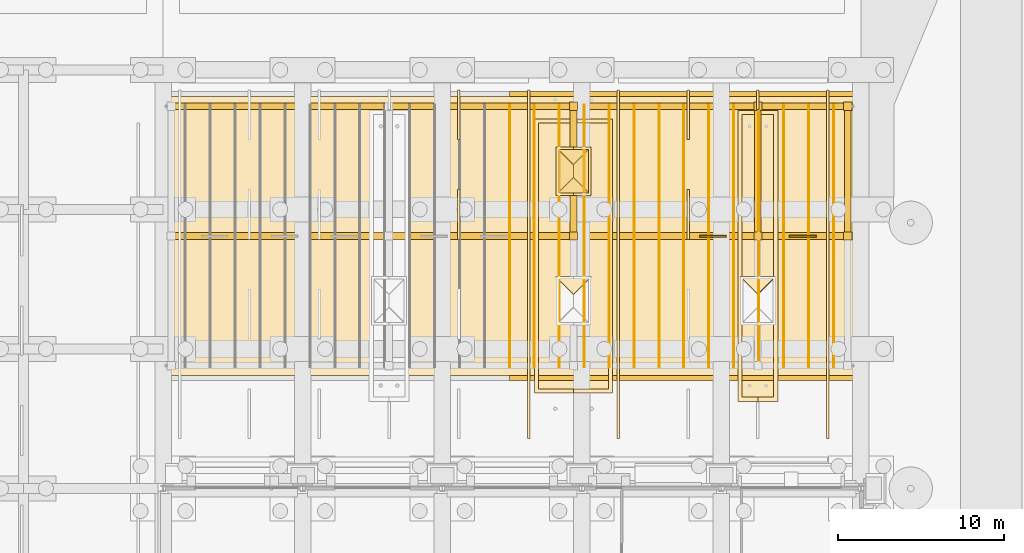
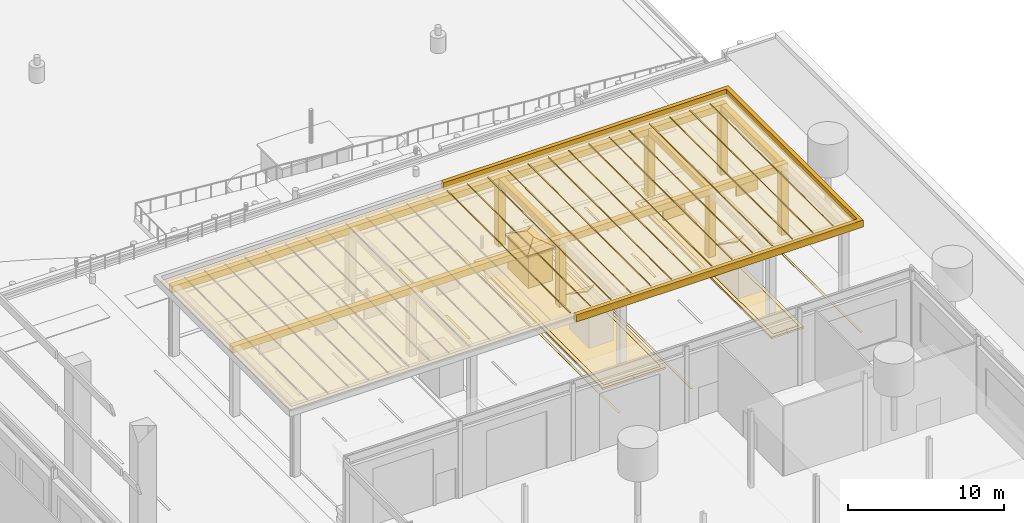
# One storey, part 171 of 222: 52 coverings.
"""IFC4 building model written with IfcOpenShell, lengths in metres."""

from ifc_helpers import new_model, si_unit, direction, frame, origin, origin_2d, place, context, subcontext, project, spatial, polyline, rectangle, outline, extrude, material, layer, layer_set, type_object, element, save


model = new_model("IFC4")

# Units and contexts
model_context = context("Model", 3, precision=1e-05, world=origin(), true_north=direction((0.0, 1.0)))
body_context = subcontext(model_context, "Body", "Model", "MODEL_VIEW")
ifc_project = project(units=[si_unit("LENGTHUNIT", "METRE"), si_unit("AREAUNIT", "SQUARE_METRE"), si_unit("VOLUMEUNIT", "CUBIC_METRE"), si_unit("PLANEANGLEUNIT", "RADIAN"), si_unit("MASSUNIT", "GRAM", prefix="KILO")], contexts=[model_context])

# Site, building, storey
site_placement = place(None, origin())
site = spatial("IfcSite", under=ifc_project, at=site_placement, CompositionType="ELEMENT")
building_placement = place(site_placement, origin())
building = spatial("IfcBuilding", under=site, at=building_placement, Name="Sava Quay Ferry Terminal", CompositionType="ELEMENT")
storey_placement = place(building_placement, origin())
storey = spatial("IfcBuildingStorey", under=building, at=storey_placement, Name="L00", CompositionType="ELEMENT", Elevation=0.0)

# Coverings
ifc_material_1 = material(Name="Steel S355", Category="steel")
ifc_layer_1 = layer(ifc_material_1, 0.39990234375)
ifc_layer_set_1 = layer_set([ifc_layer_1], Name="Steel S355")
covering_type_1 = type_object("IfcCoveringType", Name="Apron canopy beam 400x500", PredefinedType="CLADDING", material=ifc_layer_set_1)
covering_1_placement = place(storey_placement, frame((0.0, 0.0, 5.0)))
element("IfcCovering", 1, at=covering_1_placement, inside=storey, type_object=covering_type_1, Name="Apron canopy main beam", PredefinedType="CLADDING", context=body_context, shape_type="SweptSolid", body=[
    extrude(outline(polyline([(167.449951171875, 99.0), (167.449951171875, 99.39990234375), (126.25, 99.39990234375), (126.25, 99.0), (167.449951171875, 99.0)])), origin(), (0.0, 0.0, 1.0), 0.5),
])
covering_2_placement = place(storey_placement, frame((0.0, 0.0, 5.0)))
element("IfcCovering", 2, at=covering_2_placement, inside=storey, type_object=covering_type_1, Name="Apron canopy main beam", PredefinedType="CLADDING", context=body_context, shape_type="SweptSolid", body=[
    extrude(outline(polyline([(167.449951171875, 106.800048828125), (167.449951171875, 107.199951171875), (126.25, 107.199951171875), (126.25, 106.800048828125), (167.449951171875, 106.800048828125)])), origin(), (0.0, 0.0, 1.0), 0.5),
])
covering_3_placement = place(storey_placement, frame((0.0, 0.0, 5.0)))
element("IfcCovering", 3, at=covering_3_placement, inside=storey, type_object=covering_type_1, Name="Apron canopy cross beam", PredefinedType="CLADDING", context=body_context, shape_type="SweptSolid", body=[
    extrude(outline(polyline([(150.89990234375, 99.39990234375), (150.89990234375, 106.800048828125), (150.5, 106.800048828125), (150.5, 99.39990234375), (150.89990234375, 99.39990234375)])), origin(), (0.0, 0.0, 1.0), 0.5),
])
covering_4_placement = place(storey_placement, frame((0.0, 0.0, 5.0)))
element("IfcCovering", 4, at=covering_4_placement, inside=storey, type_object=covering_type_1, Name="Apron canopy cross beam", PredefinedType="CLADDING", context=body_context, shape_type="SweptSolid", body=[
    extrude(outline(polyline([(162.0, 99.39990234375), (162.0, 106.800048828125), (161.60009765625, 106.800048828125), (161.60009765625, 99.39990234375), (162.0, 99.39990234375)])), origin(), (0.0, 0.0, 1.0), 0.5),
])
covering_5_placement = place(storey_placement, frame((0.0, 0.0, 5.0)))
element("IfcCovering", 5, at=covering_5_placement, inside=storey, type_object=covering_type_1, Name="Apron canopy cross beam", PredefinedType="CLADDING", context=body_context, shape_type="SweptSolid", body=[
    extrude(outline(polyline([(167.39990234375, 99.39990234375), (167.39990234375, 106.800048828125), (167.0, 106.800048828125), (167.0, 99.39990234375), (167.39990234375, 99.39990234375)])), origin(), (0.0, 0.0, 1.0), 0.5),
])
ifc_material_2 = material(Name="Limestone Mutalj", Category="masonry")
ifc_layer_2 = layer(ifc_material_2, 0.300048828125)
ifc_layer_set_2 = layer_set([ifc_layer_2], Name="Limestone Mutalj")
covering_type_2 = type_object("IfcCoveringType", Name="Apron canopy fascia 300", PredefinedType="MOLDING", material=ifc_layer_set_2)
covering_6_placement = place(storey_placement, frame((0.0, 0.0, 5.39990234375)))
element("IfcCovering", 6, at=covering_6_placement, inside=storey, type_object=covering_type_2, Name="Apron canopy fascia", PredefinedType="MOLDING", context=body_context, shape_type="SweptSolid", body=[
    extrude(outline(polyline([(168.14990234375, 107.89990234375), (146.85009765625, 107.89990234375), (146.85009765625, 107.60009765625), (167.85009765625, 107.60009765625), (167.85009765625, 90.800048828125), (146.85009765625, 90.800048828125), (146.85009765625, 90.5), (168.14990234375, 90.5), (168.14990234375, 107.89990234375)])), origin(), (0.0, 0.0, 1.0), 0.550048828125),
])
ifc_material_3 = material(Name="Steel S355", Category="steel")
ifc_layer_3 = layer(ifc_material_3, 0.5)
ifc_layer_set_3 = layer_set([ifc_layer_3], Name="Steel S355")
covering_type_3 = type_object("IfcCoveringType", Name="Apron canopy post 500", PredefinedType="CLADDING", material=ifc_layer_set_3)
covering_7_placement = place(storey_placement, frame((0.0, 0.0, 0.14990234375)))
element("IfcCovering", 7, at=covering_7_placement, inside=storey, type_object=covering_type_3, Name="Apron canopy post", PredefinedType="CLADDING", context=body_context, shape_type="SweptSolid", body=[
    extrude(outline(polyline([(150.949951171875, 98.949951171875), (150.949951171875, 99.449951171875), (150.449951171875, 99.449951171875), (150.449951171875, 98.949951171875), (150.949951171875, 98.949951171875)])), origin(), (0.0, 0.0, 1.0), 4.85009765625),
])
covering_8_placement = place(storey_placement, frame((0.0, 0.0, 0.14990234375)))
element("IfcCovering", 8, at=covering_8_placement, inside=storey, type_object=covering_type_3, Name="Apron canopy post", PredefinedType="CLADDING", context=body_context, shape_type="SweptSolid", body=[
    extrude(outline(polyline([(150.949951171875, 106.75), (150.949951171875, 107.25), (150.449951171875, 107.25), (150.449951171875, 106.75), (150.949951171875, 106.75)])), origin(), (0.0, 0.0, 1.0), 4.85009765625),
])
covering_9_placement = place(storey_placement, frame((0.0, 0.0, 0.14990234375)))
element("IfcCovering", 9, at=covering_9_placement, inside=storey, type_object=covering_type_3, Name="Apron canopy post", PredefinedType="CLADDING", context=body_context, shape_type="SweptSolid", body=[
    extrude(outline(polyline([(162.050048828125, 98.949951171875), (162.050048828125, 99.449951171875), (161.550048828125, 99.449951171875), (161.550048828125, 98.949951171875), (162.050048828125, 98.949951171875)])), origin(), (0.0, 0.0, 1.0), 4.85009765625),
])
covering_10_placement = place(storey_placement, frame((0.0, 0.0, 0.14990234375)))
element("IfcCovering", 10, at=covering_10_placement, inside=storey, type_object=covering_type_3, Name="Apron canopy post", PredefinedType="CLADDING", context=body_context, shape_type="SweptSolid", body=[
    extrude(outline(polyline([(162.050048828125, 106.75), (162.050048828125, 107.25), (161.550048828125, 107.25), (161.550048828125, 106.75), (162.050048828125, 106.75)])), origin(), (0.0, 0.0, 1.0), 4.85009765625),
])
covering_11_placement = place(storey_placement, origin())
element("IfcCovering", 11, at=covering_11_placement, inside=storey, type_object=covering_type_3, Name="Apron canopy post", PredefinedType="CLADDING", context=body_context, shape_type="SweptSolid", body=[
    extrude(outline(polyline([(167.449951171875, 98.949951171875), (167.449951171875, 99.449951171875), (166.949951171875, 99.449951171875), (166.949951171875, 98.949951171875), (167.449951171875, 98.949951171875)])), origin(), (0.0, 0.0, 1.0), 5.0),
])
covering_12_placement = place(storey_placement, origin())
element("IfcCovering", 12, at=covering_12_placement, inside=storey, type_object=covering_type_3, Name="Apron canopy post", PredefinedType="CLADDING", context=body_context, shape_type="SweptSolid", body=[
    extrude(outline(polyline([(167.449951171875, 106.75), (167.449951171875, 107.25), (166.949951171875, 107.25), (166.949951171875, 106.75), (167.449951171875, 106.75)])), origin(), (0.0, 0.0, 1.0), 5.0),
])
ifc_material_4 = material(Name="Zinc standing seam")
ifc_layer_4 = layer(ifc_material_4, 0.1201171875)
ifc_layer_set_4 = layer_set([ifc_layer_4], Name="Zinc standing seam")
covering_type_4 = type_object("IfcCoveringType", Name="Apron canopy roof plate 120", PredefinedType="ROOFING", material=ifc_layer_set_4)
covering_13_placement = place(storey_placement, frame((0.0, 0.0, 5.5)))
element("IfcCovering", 13, at=covering_13_placement, inside=storey, type_object=covering_type_4, Name="Apron canopy roof plate", PredefinedType="ROOFING", context=body_context, shape_type="SweptSolid", body=[
    extrude(outline(polyline([(167.85009765625, 90.800048828125), (167.85009765625, 107.60009765625), (125.85009765625, 107.60009765625), (125.85009765625, 90.800048828125), (167.85009765625, 90.800048828125)])), origin(), (0.0, 0.0, 1.0), 0.1201171875),
])
ifc_material_5 = material(Name="Turf and topsoil")
ifc_layer_5 = layer(ifc_material_5, 0.14990234375)
ifc_layer_set_5 = layer_set([ifc_layer_5], Name="Turf and topsoil")
covering_type_5 = type_object("IfcCoveringType", Name="Apron island bed 150", PredefinedType="CLADDING", material=ifc_layer_set_5)
covering_14_placement = place(storey_placement, origin())
element("IfcCovering", 14, at=covering_14_placement, inside=storey, type_object=covering_type_5, Name="Apron island bed", PredefinedType="CLADDING", context=body_context, shape_type="SweptSolid", body=[
    extrude(outline(polyline([(162.75, 89.5), (162.75, 106.5), (160.85009765625, 106.5), (160.85009765625, 89.5), (162.75, 89.5)])), origin(), (0.0, 0.0, 1.0), 0.14990234375),
])
ifc_material_6 = material(Name="Limestone Mutalj", Category="masonry")
ifc_layer_6 = layer(ifc_material_6, 0.25)
ifc_layer_set_6 = layer_set([ifc_layer_6], Name="Limestone Mutalj")
covering_type_6 = type_object("IfcCoveringType", Name="Apron island kerb 250", PredefinedType="CLADDING", material=ifc_layer_set_6)
covering_15_placement = place(storey_placement, origin())
element("IfcCovering", 15, at=covering_15_placement, inside=storey, type_object=covering_type_6, Name="Apron island kerb", PredefinedType="CLADDING", context=body_context, shape_type="SweptSolid", body=[
    extrude(outline(polyline([(160.60009765625, 106.75), (160.60009765625, 89.25), (161.800048828125, 89.25), (161.800048828125, 89.5), (160.85009765625, 89.5), (160.85009765625, 106.5), (161.800048828125, 106.5), (161.800048828125, 106.75), (160.60009765625, 106.75)])), origin(), (0.0, 0.0, 1.0), 0.14990234375),
])
covering_16_placement = place(storey_placement, origin())
element("IfcCovering", 16, at=covering_16_placement, inside=storey, type_object=covering_type_6, Name="Apron island kerb", PredefinedType="CLADDING", context=body_context, shape_type="SweptSolid", body=[
    extrude(outline(polyline([(163.0, 106.75), (161.800048828125, 106.75), (161.800048828125, 106.5), (162.75, 106.5), (162.75, 89.5), (161.800048828125, 89.5), (161.800048828125, 89.25), (163.0, 89.25), (163.0, 106.75)])), origin(), (0.0, 0.0, 1.0), 0.14990234375),
])
ifc_material_7 = material(Name="Limestone Mutalj", Category="masonry")
ifc_layer_7 = layer(ifc_material_7, 0.25)
ifc_layer_set_7 = layer_set([ifc_layer_7], Name="Limestone Mutalj")
covering_type_7 = type_object("IfcCoveringType", Name="Island kerb 250", PredefinedType="CLADDING", material=ifc_layer_set_7)
covering_17_placement = place(storey_placement, origin())
element("IfcCovering", 17, at=covering_17_placement, inside=storey, type_object=covering_type_7, Name="Island kerb", PredefinedType="CLADDING", context=body_context, shape_type="SweptSolid", body=[
    extrude(outline(polyline([(148.35009765625, 89.75), (150.699951171875, 89.75), (150.699951171875, 90.0), (148.60009765625, 90.0), (148.60009765625, 106.0), (150.699951171875, 106.0), (150.699951171875, 106.25), (148.35009765625, 106.25), (148.35009765625, 89.75)])), origin(), (0.0, 0.0, 1.0), 0.14990234375),
])
covering_18_placement = place(storey_placement, origin())
element("IfcCovering", 18, at=covering_18_placement, inside=storey, type_object=covering_type_7, Name="Island kerb", PredefinedType="CLADDING", context=body_context, shape_type="SweptSolid", body=[
    extrude(outline(polyline([(153.050048828125, 89.75), (153.050048828125, 106.25), (150.699951171875, 106.25), (150.699951171875, 106.0), (152.800048828125, 106.0), (152.800048828125, 90.0), (150.699951171875, 90.0), (150.699951171875, 89.75), (153.050048828125, 89.75)])), origin(), (0.0, 0.0, 1.0), 0.14990234375),
])
ifc_material_8 = material(Name="Turf and topsoil")
ifc_layer_8 = layer(ifc_material_8, 0.14990234375)
ifc_layer_set_8 = layer_set([ifc_layer_8], Name="Turf and topsoil")
covering_type_8 = type_object("IfcCoveringType", Name="Island planting bed 150", PredefinedType="CLADDING", material=ifc_layer_set_8)
covering_19_placement = place(storey_placement, origin())
element("IfcCovering", 19, at=covering_19_placement, inside=storey, type_object=covering_type_8, Name="Island planting bed", PredefinedType="CLADDING", context=body_context, shape_type="SweptSolid", body=[
    extrude(outline(polyline([(148.60009765625, 106.0), (148.60009765625, 90.0), (152.800048828125, 90.0), (152.800048828125, 106.0), (148.60009765625, 106.0)])), origin(), (0.0, 0.0, 1.0), 0.14990234375),
])
ifc_material_9 = material(Name="Steel S355", Category="steel")
ifc_layer_9 = layer(ifc_material_9, 0.1201171875)
ifc_layer_set_9 = layer_set([ifc_layer_9], Name="Steel S355")
covering_type_9 = type_object("IfcCoveringType", Name="Lane signal board 1600x900", PredefinedType="CLADDING", material=ifc_layer_set_9)
for number, where, z_axis, x_axis, name in (
    (20, (159.10009765625, 99.199951171875, 4.10009765625), (0.0, 0.0, 1.0), (1.0, 0.0, 0.0), "Lane signal board"),
    (21, (164.5, 99.199951171875, 4.10009765625), (0.0, 0.0, 1.0), (1.0, 0.0, 0.0), "Lane signal board"),
):
    element("IfcCovering", number, at=place(storey_placement, frame(where, z_axis=z_axis, x_axis=x_axis)), inside=storey, type_object=covering_type_9, Name=name, PredefinedType="CLADDING", context=body_context, shape_type="SweptSolid", body=[
        extrude(rectangle(XDim=1.60009765625, YDim=0.1201171875, at=origin_2d()), origin(), (0.0, 0.0, 1.0), 0.89990234375),
    ])
ifc_material_10 = material(Name="Road marking paint")
ifc_layer_10 = layer(ifc_material_10, 0.02001953125)
ifc_layer_set_10 = layer_set([ifc_layer_10], Name="Road marking paint")
covering_type_10 = type_object("IfcCoveringType", Name="Road marking line 150", PredefinedType="FLOORING", material=ifc_layer_set_10)
covering_20_placement = place(storey_placement, origin())
element("IfcCovering", 22, at=covering_20_placement, inside=storey, type_object=covering_type_10, Name="Road marking line", PredefinedType="FLOORING", context=body_context, shape_type="SweptSolid", body=[
    extrude(outline(polyline([(143.72509765625, 99.0), (143.875, 99.0), (143.875, 102.0), (143.72509765625, 102.0), (143.72509765625, 99.0)])), origin(), (0.0, 0.0, 1.0), 0.02001953125),
])
covering_21_placement = place(storey_placement, origin())
element("IfcCovering", 23, at=covering_21_placement, inside=storey, type_object=covering_type_10, Name="Road marking line", PredefinedType="FLOORING", context=body_context, shape_type="SweptSolid", body=[
    extrude(outline(polyline([(148.074951171875, 108.0), (147.925048828125, 108.0), (147.925048828125, 87.0), (148.074951171875, 87.0), (148.074951171875, 108.0)])), origin(), (0.0, 0.0, 1.0), 0.02001953125),
])
covering_22_placement = place(storey_placement, origin())
element("IfcCovering", 24, at=covering_22_placement, inside=storey, type_object=covering_type_10, Name="Road marking line", PredefinedType="FLOORING", context=body_context, shape_type="SweptSolid", body=[
    extrude(outline(polyline([(153.324951171875, 108.0), (153.324951171875, 87.0), (153.47509765625, 87.0), (153.47509765625, 108.0), (153.324951171875, 108.0)])), origin(), (0.0, 0.0, 1.0), 0.02001953125),
])
covering_23_placement = place(storey_placement, origin())
element("IfcCovering", 25, at=covering_23_placement, inside=storey, type_object=covering_type_10, Name="Road marking line", PredefinedType="FLOORING", context=body_context, shape_type="SweptSolid", body=[
    extrude(outline(polyline([(166.074951171875, 108.0), (165.925048828125, 108.0), (165.925048828125, 87.0), (166.074951171875, 87.0), (166.074951171875, 108.0)])), origin(), (0.0, 0.0, 1.0), 0.02001953125),
])
covering_24_placement = place(storey_placement, origin())
element("IfcCovering", 26, at=covering_24_placement, inside=storey, type_object=covering_type_10, Name="Road marking line", PredefinedType="FLOORING", context=body_context, shape_type="SweptSolid", body=[
    extrude(outline(polyline([(157.52490234375, 99.0), (157.675048828125, 99.0), (157.675048828125, 102.0), (157.52490234375, 102.0), (157.52490234375, 99.0)])), origin(), (0.0, 0.0, 1.0), 0.02001953125),
])
covering_25_placement = place(storey_placement, origin())
element("IfcCovering", 27, at=covering_25_placement, inside=storey, type_object=covering_type_10, Name="Road marking line", PredefinedType="FLOORING", context=body_context, shape_type="SweptSolid", body=[
    extrude(outline(polyline([(143.72509765625, 105.0), (143.875, 105.0), (143.875, 108.0), (143.72509765625, 108.0), (143.72509765625, 105.0)])), origin(), (0.0, 0.0, 1.0), 0.02001953125),
])
covering_26_placement = place(storey_placement, origin())
element("IfcCovering", 28, at=covering_26_placement, inside=storey, type_object=covering_type_10, Name="Road marking line", PredefinedType="FLOORING", context=body_context, shape_type="SweptSolid", body=[
    extrude(outline(polyline([(157.52490234375, 105.0), (157.675048828125, 105.0), (157.675048828125, 108.0), (157.52490234375, 108.0), (157.52490234375, 105.0)])), origin(), (0.0, 0.0, 1.0), 0.02001953125),
])
covering_27_placement = place(storey_placement, origin())
element("IfcCovering", 29, at=covering_27_placement, inside=storey, type_object=covering_type_10, Name="Road marking line", PredefinedType="FLOORING", context=body_context, shape_type="SweptSolid", body=[
    extrude(outline(polyline([(161.72509765625, 108.0), (161.72509765625, 106.800048828125), (161.875, 106.800048828125), (161.875, 108.0), (161.72509765625, 108.0)])), origin(), (0.0, 0.0, 1.0), 0.02001953125),
])
ifc_material_11 = material(Name="Zinc standing seam")
ifc_layer_11 = layer(ifc_material_11, 0.0400390625)
ifc_layer_set_11 = layer_set([ifc_layer_11], Name="Zinc standing seam")
covering_type_11 = type_object("IfcCoveringType", Name="Roof seam rib 60", PredefinedType="ROOFING", material=ifc_layer_set_11)
for number, where, z_axis, x_axis, name in (
    (30, (146.820068359375, 91.300048828125, 5.659912109375), (0.0, 0.0, 1.0), (0.0, 1.0, 0.0), "Roof seam rib"),
    (31, (148.320068359375, 91.300048828125, 5.659912109375), (0.0, 0.0, 1.0), (0.0, 1.0, 0.0), "Roof seam rib"),
    (32, (149.820068359375, 91.300048828125, 5.659912109375), (0.0, 0.0, 1.0), (0.0, 1.0, 0.0), "Roof seam rib"),
    (33, (151.320068359375, 91.300048828125, 5.659912109375), (0.0, 0.0, 1.0), (0.0, 1.0, 0.0), "Roof seam rib"),
    (34, (152.820068359375, 91.300048828125, 5.659912109375), (0.0, 0.0, 1.0), (0.0, 1.0, 0.0), "Roof seam rib"),
    (35, (154.320068359375, 91.300048828125, 5.659912109375), (0.0, 0.0, 1.0), (0.0, 1.0, 0.0), "Roof seam rib"),
    (36, (155.820068359375, 91.300048828125, 5.659912109375), (0.0, 0.0, 1.0), (0.0, 1.0, 0.0), "Roof seam rib"),
    (37, (157.320068359375, 91.300048828125, 5.659912109375), (0.0, 0.0, 1.0), (0.0, 1.0, 0.0), "Roof seam rib"),
    (38, (158.820068359375, 91.300048828125, 5.659912109375), (0.0, 0.0, 1.0), (0.0, 1.0, 0.0), "Roof seam rib"),
    (39, (160.320068359375, 91.300048828125, 5.659912109375), (0.0, 0.0, 1.0), (0.0, 1.0, 0.0), "Roof seam rib"),
    (40, (161.820068359375, 91.300048828125, 5.659912109375), (0.0, 0.0, 1.0), (0.0, 1.0, 0.0), "Roof seam rib"),
    (41, (163.320068359375, 91.300048828125, 5.659912109375), (0.0, 0.0, 1.0), (0.0, 1.0, 0.0), "Roof seam rib"),
    (42, (164.820068359375, 91.300048828125, 5.659912109375), (0.0, 0.0, 1.0), (0.0, 1.0, 0.0), "Roof seam rib"),
    (43, (166.320068359375, 91.300048828125, 5.659912109375), (0.0, 0.0, 1.0), (0.0, 1.0, 0.0), "Roof seam rib"),
):
    element("IfcCovering", number, at=place(storey_placement, frame(where, z_axis=z_axis, x_axis=x_axis)), inside=storey, type_object=covering_type_11, Name=name, PredefinedType="ROOFING", context=body_context, shape_type="SweptSolid", body=[
        extrude(outline(polyline([(0.0, 0.0), (15.800048828125, 0.0), (15.800048828125, -0.059814453125), (0.0, -0.059814453125), (0.0, 0.0)])), origin(), (0.0, 0.0, -1.0), 0.0400390625),
    ])
ifc_material_12 = material(Name="Limestone Mutalj", Category="masonry")
ifc_layer_12 = layer(ifc_material_12, 1.800048828125)
ifc_layer_set_12 = layer_set([ifc_layer_12], Name="Limestone Mutalj")
covering_type_12 = type_object("IfcCoveringType", Name="Ticket booth body 1800x2600", PredefinedType="CLADDING", material=ifc_layer_set_12)
covering_28_placement = place(storey_placement, frame((0.0, 0.0, 0.14990234375)))
element("IfcCovering", 44, at=covering_28_placement, inside=storey, type_object=covering_type_12, Name="Ticket booth body", PredefinedType="CLADDING", context=body_context, shape_type="SweptSolid", body=[
    extrude(outline(polyline([(151.60009765625, 101.800048828125), (151.60009765625, 104.39990234375), (149.800048828125, 104.39990234375), (149.800048828125, 101.800048828125), (151.60009765625, 101.800048828125)])), origin(), (0.0, 0.0, 1.0), 2.60009765625),
])
ifc_material_13 = material(Name="Zinc standing seam")
ifc_layer_13 = layer(ifc_material_13, 0.080078125)
ifc_layer_set_13 = layer_set([ifc_layer_13], Name="Zinc standing seam")
covering_type_13 = type_object("IfcCoveringType", Name="Ticket booth hip roof panel 80", PredefinedType="ROOFING", material=ifc_layer_set_13)
for number, where, z_axis, x_axis, name in (
    (45, (151.742919921875, 96.75, 2.822265625), (0.0, 0.429917283348, 0.902868279141), (-1.0, 0.0, 0.0), "Ticket booth hip roof panel"),
    (46, (149.656982421875, 101.64990234375, 2.822265625), (0.0, -0.429917283348, 0.902868279141), (1.0, 0.0, 0.0), "Ticket booth hip roof panel"),
    (47, (151.742919921875, 104.550048828125, 2.822265625), (0.0, 0.429917283348, 0.902868279141), (-1.0, 0.0, 0.0), "Ticket booth hip roof panel"),
):
    element("IfcCovering", number, at=place(storey_placement, frame(where, z_axis=z_axis, x_axis=x_axis)), inside=storey, type_object=covering_type_13, Name=name, PredefinedType="ROOFING", context=body_context, shape_type="SweptSolid", body=[
        extrude(outline(polyline([(0.0, 0.0), (2.0859375, 0.0), (1.035888671875, 1.1630144201370358), (1.050048828125, 1.1630144201370358), (0.0, 0.0)])), origin(), (0.0, 0.0, -1.0), 0.080078125),
    ])
for number, where, z_axis, x_axis, name in (
    (48, (149.64990234375, 104.54296875, 2.822265625), (-0.429884356085, 0.0, 0.902883957324), (0.0, -1.0, 0.0), "Ticket booth hip roof panel"),
    (49, (151.75, 101.656982421875, 2.822265625), (0.429884356085, 0.0, 0.902883957324), (0.0, 1.0, 0.0), "Ticket booth hip roof panel"),
):
    element("IfcCovering", number, at=place(storey_placement, frame(where, z_axis=z_axis, x_axis=x_axis)), inside=storey, type_object=covering_type_13, Name=name, PredefinedType="ROOFING", context=body_context, shape_type="SweptSolid", body=[
        extrude(outline(polyline([(0.0, 0.0), (2.885986328125, 0.0), (1.843017578125, 1.1551525991127485), (1.04296875, 1.1551525991127485), (0.0, 0.0)])), origin(), (0.0, 0.0, -1.0), 0.080078125),
    ])
covering_29_placement = place(storey_placement, frame((162.843017578125, 96.75, 2.822265625), z_axis=(0.0, 0.429917283348, 0.902868279141), x_axis=(-1.0, 0.0, 0.0)))
element("IfcCovering", 50, at=covering_29_placement, inside=storey, type_object=covering_type_13, Name="Ticket booth hip roof panel", PredefinedType="ROOFING", context=body_context, shape_type="SweptSolid", body=[
    extrude(outline(polyline([(0.0, 0.0), (2.0859375, 0.0), (1.035888671875, 1.1630144201370358), (1.050048828125, 1.1630144201370358), (0.0, 0.0)])), origin(), (0.0, 0.0, -1.0), 0.080078125),
])
ifc_material_14 = material(Name="Limestone Mutalj", Category="masonry")
ifc_layer_14 = layer(ifc_material_14, 0.1201171875)
ifc_layer_set_14 = layer_set([ifc_layer_14], Name="Limestone Mutalj")
covering_type_14 = type_object("IfcCoveringType", Name="Ticket booth ledge 2200", PredefinedType="MOLDING", material=ifc_layer_set_14)
covering_30_placement = place(storey_placement, frame((0.0, 0.0, 2.6298828125)))
element("IfcCovering", 51, at=covering_30_placement, inside=storey, type_object=covering_type_14, Name="Ticket booth ledge", PredefinedType="MOLDING", context=body_context, shape_type="SweptSolid", body=[
    extrude(outline(polyline([(149.64990234375, 104.550048828125), (149.64990234375, 101.64990234375), (150.699951171875, 101.64990234375), (150.699951171875, 101.800048828125), (149.800048828125, 101.800048828125), (149.800048828125, 104.39990234375), (150.699951171875, 104.39990234375), (150.699951171875, 104.550048828125), (149.64990234375, 104.550048828125)])), origin(), (0.0, 0.0, 1.0), 0.1201171875),
])
covering_31_placement = place(storey_placement, frame((0.0, 0.0, 2.6298828125)))
element("IfcCovering", 52, at=covering_31_placement, inside=storey, type_object=covering_type_14, Name="Ticket booth ledge", PredefinedType="MOLDING", context=body_context, shape_type="SweptSolid", body=[
    extrude(outline(polyline([(151.75, 104.550048828125), (150.699951171875, 104.550048828125), (150.699951171875, 104.39990234375), (151.60009765625, 104.39990234375), (151.60009765625, 101.800048828125), (150.699951171875, 101.800048828125), (150.699951171875, 101.64990234375), (151.75, 101.64990234375), (151.75, 104.550048828125)])), origin(), (0.0, 0.0, 1.0), 0.1201171875),
])

save(model, "model.ifc")
